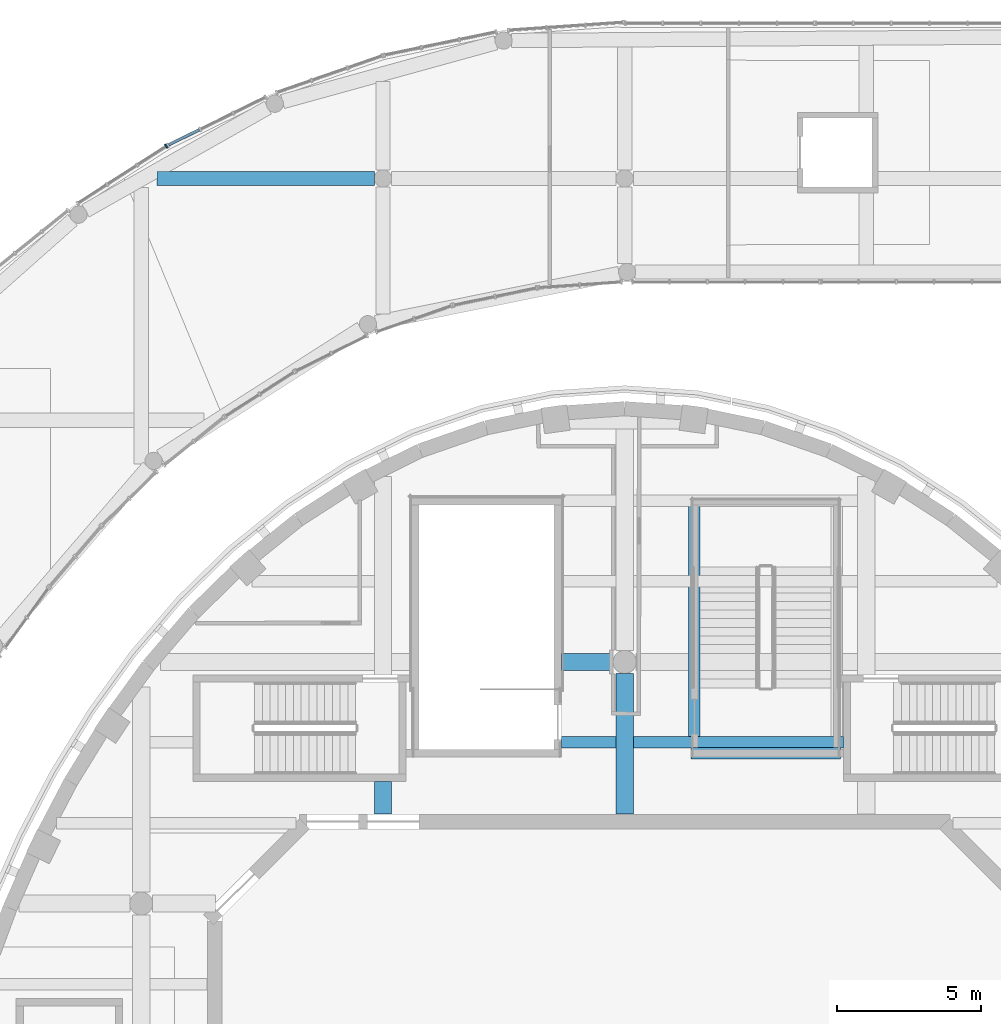
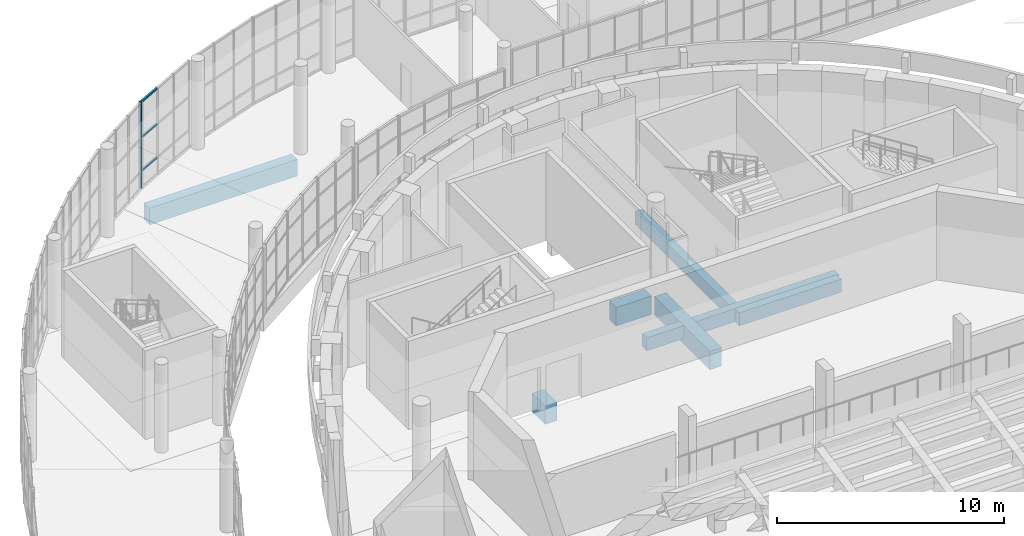
# One storey, part 27 of 119: 8 beams, 4 members, 2 elements without a shape of their own.
"""IFC4 building model written with IfcOpenShell, lengths in metres."""

from ifc_helpers import new_model, si_unit, direction, frame, origin, origin_2d, place, context, subcontext, project, spatial, rectangle, extrude, material, layer, layer_set, material_profile, profile_set, type_object, element, aggregate, save


model = new_model("IFC4")

# Units and contexts
model_context = context("Model", 3, precision=1e-05, world=origin(), true_north=direction((0.0, 1.0)))
body_context = subcontext(model_context, "Body", "Model", "MODEL_VIEW")
ifc_project = project(units=[si_unit("LENGTHUNIT", "METRE"), si_unit("AREAUNIT", "SQUARE_METRE"), si_unit("VOLUMEUNIT", "CUBIC_METRE"), si_unit("PLANEANGLEUNIT", "RADIAN"), si_unit("MASSUNIT", "GRAM", prefix="KILO")], contexts=[model_context])

# Site, building, storey
site_placement = place(None, origin())
site = spatial("IfcSite", under=ifc_project, at=site_placement, CompositionType="ELEMENT")
building_placement = place(site_placement, origin())
building = spatial("IfcBuilding", under=site, at=building_placement, Name="Larchfold Concert Hall", CompositionType="ELEMENT")
storey_placement = place(building_placement, frame((0.0, 0.0, 4.800048828125)))
storey = spatial("IfcBuildingStorey", under=building, at=storey_placement, Name="L01", CompositionType="ELEMENT", Elevation=4.800048828125)

# Curtain wall, member
ifc_material_1 = material(Name="Anodised graphite aluminium curtain wall", Category="aluminium")
ifc_layer = layer(ifc_material_1, 0.14990234375)
ifc_layer_set = layer_set([ifc_layer], Name="Anodised graphite aluminium curtain wall")
curtain_wall_type = type_object("IfcCurtainWallType", Name="Curtain wall WG", PredefinedType="NOTDEFINED", material=ifc_layer_set)
curtain_wall_1_placement = place(storey_placement, origin())
curtain_wall_1 = element("IfcCurtainWall", 1, at=curtain_wall_1_placement, inside=storey, type_object=curtain_wall_type, Name="Curtain wall CW0181", PredefinedType="NOTDEFINED")
ifc_material_2 = material(Name="Anodised graphite aluminium mullion", Category="aluminium")
ifc_material_profile_1 = material_profile(ifc_material_2, rectangle(XDim=0.14990234375, YDim=0.06005859375, at=origin_2d()))
ifc_profile_set_1 = profile_set([ifc_material_profile_1], Name="Anodised graphite aluminium mullion")
member_type_1 = type_object("IfcMemberType", Name="Aluminium mullion 60x150", PredefinedType="MULLION", material=ifc_profile_set_1)
member_1_placement = place(storey_placement, frame((26.67236328125, 127.724609375, 0.0), z_axis=(0.0, 0.0, 1.0), x_axis=(0.541763002722, -0.840531289651, 0.0)))
member_1 = element("IfcMember", 2, at=member_1_placement, type_object=member_type_1, Name="CW0181 mullion 1", PredefinedType="MULLION", context=body_context, shape_type="SweptSolid", body=[
    extrude(rectangle(XDim=0.14990234375, YDim=0.06005859375, at=origin_2d()), origin(), (0.0, 0.0, 1.0), 4.64990234375),
])
aggregate(curtain_wall_1, [member_1])

# Curtain wall, members
curtain_wall_2_placement = place(storey_placement, origin())
curtain_wall_2 = element("IfcCurtainWall", 3, at=curtain_wall_2_placement, inside=storey, type_object=curtain_wall_type, Name="Curtain wall CW0180", PredefinedType="NOTDEFINED")
ifc_material_3 = material(Name="Anodised graphite aluminium transom", Category="aluminium")
ifc_material_profile_2 = material_profile(ifc_material_3, rectangle(XDim=0.10009765625, YDim=0.080078125, at=origin_2d()))
ifc_profile_set_2 = profile_set([ifc_material_profile_2], Name="Anodised graphite aluminium transom")
member_type_2 = type_object("IfcMemberType", Name="Aluminium transom 80x100", PredefinedType="USERDEFINED", material=ifc_profile_set_2)
member_2_placement = place(storey_placement, frame((27.820556640625, 128.294921875, 0.89990234375), z_axis=(-0.896870870578, -0.44229248412, 0.0), x_axis=(0.44229248412, -0.896870870578, 0.0)))
member_2 = element("IfcMember", 4, at=member_2_placement, type_object=member_type_2, Name="CW0180 transom 3.2", ObjectType="TRANSOM", PredefinedType="USERDEFINED", context=body_context, shape_type="SweptSolid", body=[
    extrude(rectangle(XDim=0.10009765625, YDim=0.080078125, at=origin_2d()), origin(), (0.0, 0.0, 1.0), 1.1923828125),
])
member_3_placement = place(storey_placement, frame((27.820556640625, 128.294921875, 2.699951171875), z_axis=(-0.896870870578, -0.44229248412, 0.0), x_axis=(0.44229248412, -0.896870870578, 0.0)))
member_3 = element("IfcMember", 5, at=member_3_placement, type_object=member_type_2, Name="CW0180 transom 3.3", ObjectType="TRANSOM", PredefinedType="USERDEFINED", context=body_context, shape_type="SweptSolid", body=[
    extrude(rectangle(XDim=0.10009765625, YDim=0.080078125, at=origin_2d()), origin(), (0.0, 0.0, 1.0), 1.1923828125),
])
member_4_placement = place(storey_placement, frame((27.820556640625, 128.294921875, 4.60986328125), z_axis=(-0.896870870578, -0.44229248412, 0.0), x_axis=(0.44229248412, -0.896870870578, 0.0)))
member_4 = element("IfcMember", 6, at=member_4_placement, type_object=member_type_2, Name="CW0180 transom 3.4", ObjectType="TRANSOM", PredefinedType="USERDEFINED", context=body_context, shape_type="SweptSolid", body=[
    extrude(rectangle(XDim=0.10009765625, YDim=0.080078125, at=origin_2d()), origin(), (0.0, 0.0, 1.0), 1.1923828125),
])
aggregate(curtain_wall_2, [member_2, member_3, member_4])

# Beams
ifc_material_4 = material(Name="Concrete C35/45", Category="concrete")
ifc_material_profile_3 = material_profile(ifc_material_4, rectangle(XDim=0.39990234375, YDim=0.699951171875, at=origin_2d()))
ifc_profile_set_3 = profile_set([ifc_material_profile_3], Name="Concrete C35/45")
beam_type_1 = type_object("IfcBeamType", Name="Beam RC 400x700", PredefinedType="BEAM", material=ifc_profile_set_3)
beam_1_placement = place(storey_placement, frame((40.39990234375, 107.0, -0.550048828125), z_axis=(1.0, 0.0, 0.0), x_axis=(0.0, 1.0, 0.0)))
element("IfcBeam", 7, at=beam_1_placement, inside=storey, type_object=beam_type_1, Name="Beam B1258", PredefinedType="BEAM", context=body_context, shape_type="SweptSolid", body=[
    extrude(rectangle(XDim=0.39990234375, YDim=0.699951171875, at=origin_2d()), origin(), (0.0, 0.0, 1.0), 1.900146484375),
])
beam_2_placement = place(storey_placement, frame((42.89990234375, 107.0, -0.550048828125), z_axis=(1.0, 0.0, 0.0), x_axis=(0.0, 1.0, 0.0)))
element("IfcBeam", 8, at=beam_2_placement, inside=storey, type_object=beam_type_1, Name="Beam B1259", PredefinedType="BEAM", context=body_context, shape_type="SweptSolid", body=[
    extrude(rectangle(XDim=0.39990234375, YDim=0.699951171875, at=origin_2d()), origin(), (0.0, 0.0, 1.0), 7.300048828125),
])
beam_3_placement = place(storey_placement, frame((44.89990234375, 106.625, -0.550048828125), z_axis=(1.0, 0.0, 0.0), x_axis=(0.0, 1.0, 0.0)))
element("IfcBeam", 9, at=beam_3_placement, inside=storey, type_object=beam_type_1, Name="Beam B2067", PredefinedType="BEAM", context=body_context, shape_type="SweptSolid", body=[
    extrude(rectangle(XDim=0.39990234375, YDim=0.699951171875, at=origin_2d()), origin(), (0.0, 0.0, 1.0), 5.2001953125),
])
beam_4_placement = place(storey_placement, frame((45.02490234375, 106.949951171875, -0.550048828125), z_axis=(0.0, 1.0, 0.0), x_axis=(-1.0, 0.0, 0.0)))
element("IfcBeam", 10, at=beam_4_placement, inside=storey, type_object=beam_type_1, Name="Beam B2068", PredefinedType="BEAM", context=body_context, shape_type="SweptSolid", body=[
    extrude(rectangle(XDim=0.39990234375, YDim=0.699951171875, at=origin_2d()), origin(), (0.0, 0.0, 1.0), 8.550048828125),
])
ifc_material_5 = material(Name="Concrete C35/45", Category="concrete")
ifc_material_profile_4 = material_profile(ifc_material_5, rectangle(XDim=0.5, YDim=0.89990234375, at=origin_2d()))
ifc_profile_set_4 = profile_set([ifc_material_profile_4], Name="Concrete C35/45")
beam_type_2 = type_object("IfcBeamType", Name="Beam RC 500x900", PredefinedType="BEAM", material=ifc_profile_set_4)
beam_5_placement = place(storey_placement, frame((26.355712890625, 126.60009765625, -0.60009765625), z_axis=(1.0, 0.0, 0.0), x_axis=(0.0, 1.0, 0.0)))
element("IfcBeam", 11, at=beam_5_placement, inside=storey, type_object=beam_type_2, Name="Beam B1930", PredefinedType="BEAM", context=body_context, shape_type="SweptSolid", body=[
    extrude(rectangle(XDim=0.5, YDim=0.89990234375, at=origin_2d()), origin(), (0.0, 0.0, 1.0), 7.545654296875),
])
ifc_material_6 = material(Name="Concrete C35/45", Category="concrete")
ifc_material_profile_5 = material_profile(ifc_material_6, rectangle(XDim=0.60009765625, YDim=1.0, at=origin_2d()))
ifc_profile_set_5 = profile_set([ifc_material_profile_5], Name="Concrete C35/45")
beam_type_3 = type_object("IfcBeamType", Name="Beam RC 600x1000", PredefinedType="BEAM", material=ifc_profile_set_5)
beam_6_placement = place(storey_placement, frame((34.199951171875, 104.510009765625, -0.699951171875), z_axis=(0.0, 1.0, 0.0), x_axis=(-1.0, 0.0, 0.0)))
element("IfcBeam", 12, at=beam_6_placement, inside=storey, type_object=beam_type_3, Name="Beam B1187", PredefinedType="BEAM", context=body_context, shape_type="SweptSolid", body=[
    extrude(rectangle(XDim=0.60009765625, YDim=1.0, at=origin_2d()), origin(), (0.0, 0.0, 1.0), 1.139892578125),
])
beam_7_placement = place(storey_placement, frame((42.60009765625, 104.510009765625, -0.699951171875), z_axis=(0.0, 1.0, 0.0), x_axis=(-1.0, 0.0, 0.0)))
element("IfcBeam", 13, at=beam_7_placement, inside=storey, type_object=beam_type_3, Name="Beam B1189", PredefinedType="BEAM", context=body_context, shape_type="SweptSolid", body=[
    extrude(rectangle(XDim=0.60009765625, YDim=1.0, at=origin_2d()), origin(), (0.0, 0.0, 1.0), 4.8916015625),
])
beam_8_placement = place(storey_placement, frame((40.39990234375, 109.800048828125, -0.699951171875), z_axis=(1.0, 0.0, 0.0), x_axis=(0.0, 1.0, 0.0)))
element("IfcBeam", 14, at=beam_8_placement, inside=storey, type_object=beam_type_3, Name="Beam B1216", PredefinedType="BEAM", context=body_context, shape_type="SweptSolid", body=[
    extrude(rectangle(XDim=0.60009765625, YDim=1.0, at=origin_2d()), origin(), (0.0, 0.0, 1.0), 1.8017578125),
])

save(model, "model.ifc")
